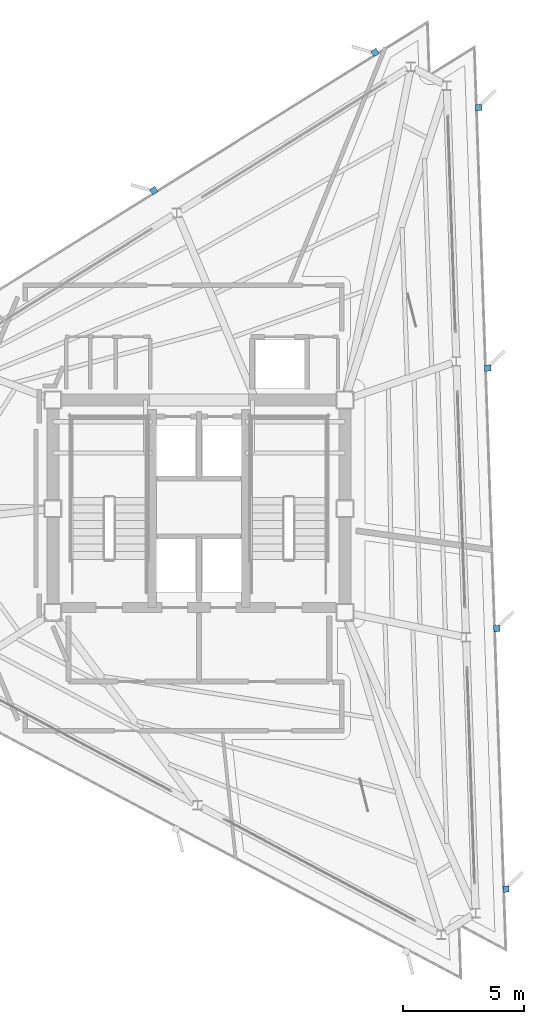
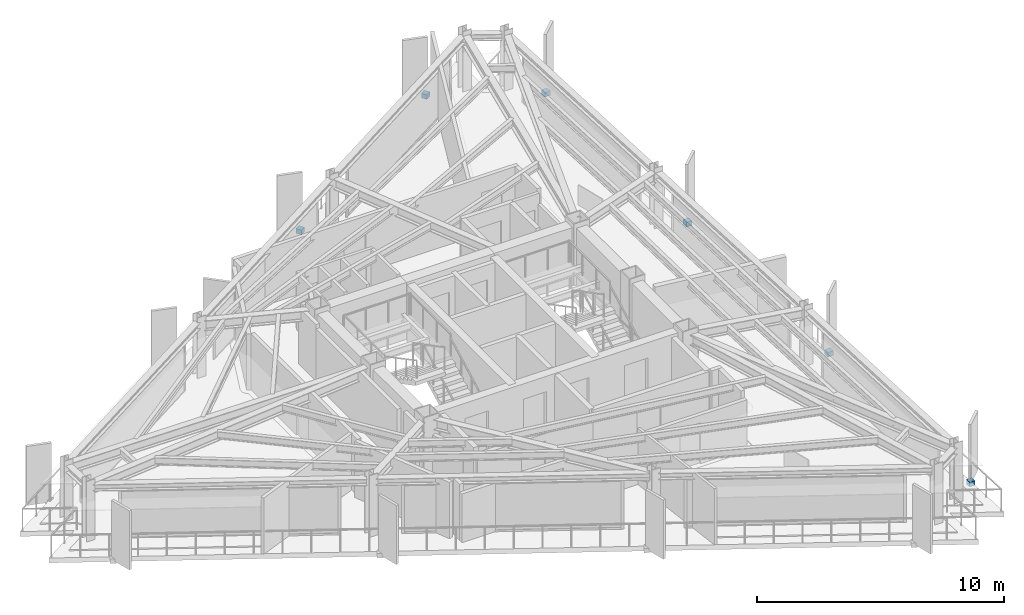
# One storey, part 10 of 13: 6 discrete accessories.
"""IFC4 building model written with IfcOpenShell, lengths in metres."""

from ifc_helpers import new_model, si_unit, direction, frame, origin, origin_2d, place, context, subcontext, project, spatial, rectangle, extrude, material, layer, layer_set, type_object, element, save


model = new_model("IFC4")

# Units and contexts
model_context = context("Model", 3, precision=1e-05, world=origin(), true_north=direction((0.0, 1.0)))
body_context = subcontext(model_context, "Body", "Model", "MODEL_VIEW")
ifc_project = project(units=[si_unit("LENGTHUNIT", "METRE"), si_unit("AREAUNIT", "SQUARE_METRE"), si_unit("VOLUMEUNIT", "CUBIC_METRE"), si_unit("PLANEANGLEUNIT", "RADIAN"), si_unit("MASSUNIT", "GRAM", prefix="KILO")], contexts=[model_context])

# Site, building, storey
site_placement = place(None, origin())
site = spatial("IfcSite", under=ifc_project, at=site_placement, CompositionType="ELEMENT")
building_placement = place(site_placement, origin())
building = spatial("IfcBuilding", under=site, at=building_placement, Name="Rocaltana Carrier Exchange", CompositionType="ELEMENT")
storey_placement = place(building_placement, frame((0.0, 0.0, 202.719970703125)))
storey = spatial("IfcBuildingStorey", under=building, at=storey_placement, Name="L64", CompositionType="ELEMENT", Elevation=202.719970703125)

# Discrete accessories
ifc_material = material(Name="Brushed Architectural Stainless Metal", Category="steel")
ifc_layer = layer(ifc_material, 0.219970703125)
ifc_layer_set = layer_set([ifc_layer], Name="Brushed Architectural Stainless Metal")
discrete_accessory_type = type_object("IfcDiscreteAccessoryType", Name="Stainless Fin Slab-Edge Bracket 260x260x220", PredefinedType="BRACKET", material=ifc_layer_set)
for number, where, z_axis, x_axis, name in (
    (1, (12.722412109375, -15.765625, -0.2099609375), (0.0, 0.0, 1.0), (-0.034899496703, 0.999390827019, 0.0), "L64 Sandstone Fin Edge Bracket F1-01"),
    (2, (12.345458984375, -4.97216796875, -0.2099609375), (0.0, 0.0, 1.0), (-0.034899496703, 0.999390827019, 0.0), "L64 Sandstone Fin Edge Bracket F1-02"),
    (3, (11.968505859375, 5.8212890625, -0.2099609375), (0.0, 0.0, 1.0), (-0.034899496703, 0.999390827019, 0.0), "L64 Sandstone Fin Edge Bracket F1-03"),
    (4, (11.591552734375, 16.61474609375, -0.2099609375), (0.0, 0.0, 1.0), (-0.034899496703, 0.999390827019, 0.0), "L64 Sandstone Fin Edge Bracket F1-04"),
    (5, (7.292236328125, 18.900634765625, -0.2099609375), (0.0, 0.0, 1.0), (-0.848048096156, -0.529919264233, 0.0), "L64 Sandstone Fin Edge Bracket F2-01"),
    (6, (-1.86669921875, 13.177490234375, -0.2099609375), (0.0, 0.0, 1.0), (-0.848048096156, -0.529919264233, 0.0), "L64 Sandstone Fin Edge Bracket F2-02"),
):
    element("IfcDiscreteAccessory", number, at=place(storey_placement, frame(where, z_axis=z_axis, x_axis=x_axis)), inside=storey, type_object=discrete_accessory_type, Name=name, PredefinedType="BRACKET", context=body_context, shape_type="SweptSolid", body=[
        extrude(rectangle(XDim=0.260009765625, YDim=0.260009765625, at=origin_2d()), origin(), (0.0, 0.0, 1.0), 0.219970703125),
    ])

save(model, "model.ifc")
